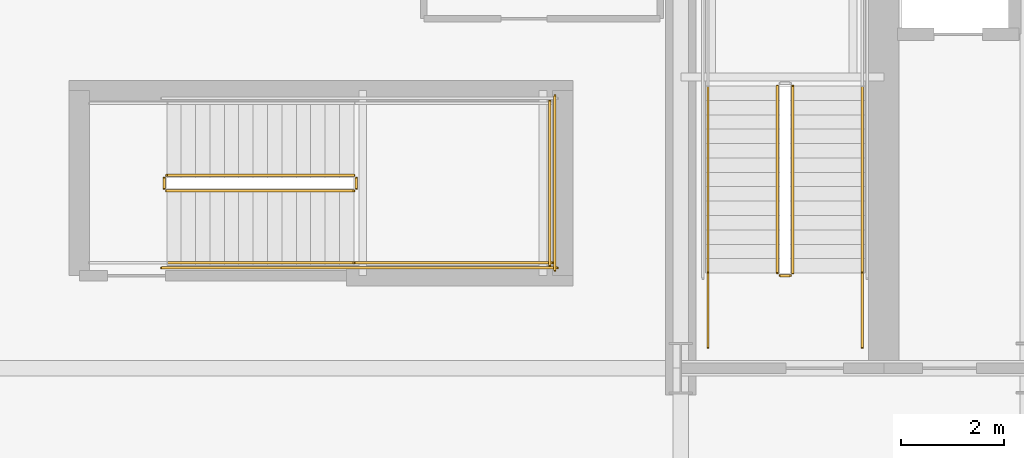
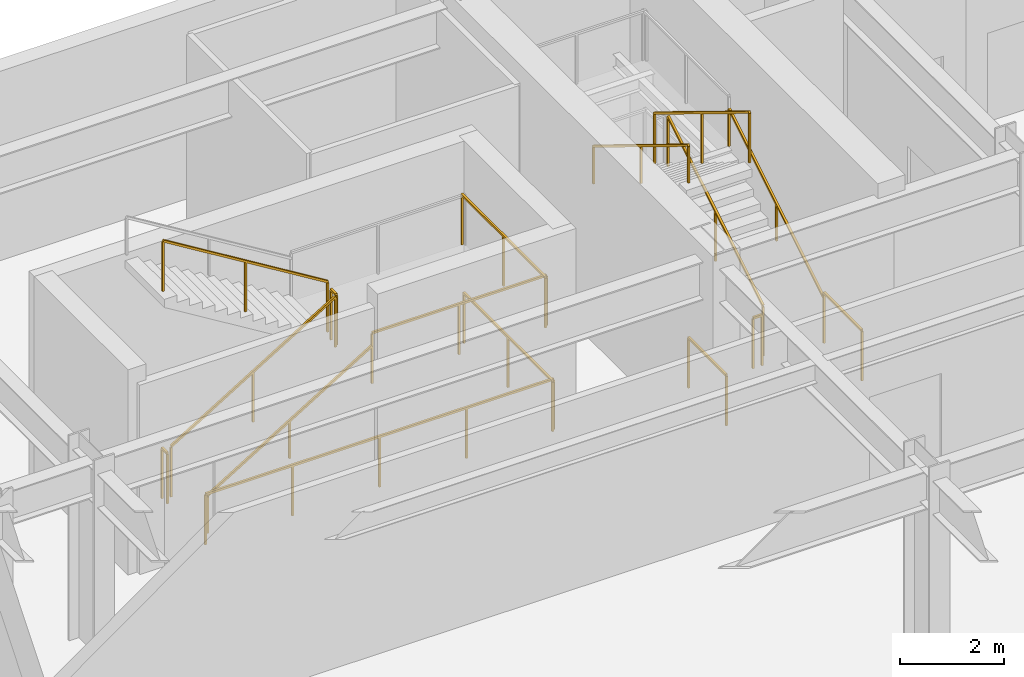
# One storey, part 25 of 35: 16 railings.
"""IFC4 building model written with IfcOpenShell, lengths in metres."""

from ifc_helpers import new_model, si_unit, direction, frame, origin, origin_2d, place, context, subcontext, project, spatial, rectangle, extrude, material, type_object, element, save


model = new_model("IFC4")

# Units and contexts
model_context = context("Model", 3, precision=1e-05, world=origin(), true_north=direction((0.0, 1.0)))
body_context = subcontext(model_context, "Body", "Model", "MODEL_VIEW")
ifc_project = project(units=[si_unit("LENGTHUNIT", "METRE"), si_unit("AREAUNIT", "SQUARE_METRE"), si_unit("VOLUMEUNIT", "CUBIC_METRE"), si_unit("PLANEANGLEUNIT", "RADIAN"), si_unit("MASSUNIT", "GRAM", prefix="KILO")], contexts=[model_context])

# Site, building, storey
site_placement = place(None, origin())
site = spatial("IfcSite", under=ifc_project, at=site_placement, CompositionType="ELEMENT")
building_placement = place(site_placement, origin())
building = spatial("IfcBuilding", under=site, at=building_placement, Name="Haevon Station Towers", CompositionType="ELEMENT")
storey_placement = place(building_placement, frame((0.0, 0.0, 20.39990234375)))
storey = spatial("IfcBuildingStorey", under=building, at=storey_placement, Name="L04", CompositionType="ELEMENT", Elevation=20.39990234375)

# Railings
ifc_material = material(Name="Steel S355", Category="steel")
railing_type_1 = type_object("IfcRailingType", Name="GRD-STR1200", PredefinedType="GUARDRAIL", material=ifc_material)
railing_1_placement = place(storey_placement, frame((26.179931640625, 40.050048828125, 0.171630859375)))
element("IfcRailing", 1, at=railing_1_placement, inside=storey, type_object=railing_type_1, Name="L04 ST1 Stair Guard 1", PredefinedType="GUARDRAIL", context=body_context, shape_type="SweptSolid", body=[
    extrude(rectangle(XDim=0.048095703125, YDim=0.048095703125, at=origin_2d()), frame((0.0, 0.0, 1.17578125), z_axis=(0.0, 0.852850264322, 0.5221555579), x_axis=(-1.0, 0.0, 0.0)), (0.0, 0.0, 1.0), 4.267822265625),
    extrude(rectangle(XDim=0.0419921875, YDim=0.0419921875, at=origin_2d()), origin(), (0.0, 0.0, 1.0), 1.15185546875),
    extrude(rectangle(XDim=0.0419921875, YDim=0.0419921875, at=origin_2d()), frame((0.0, 1.81982421875, 1.1142578125)), (0.0, 0.0, 1.0), 1.15185546875),
    extrude(rectangle(XDim=0.0419921875, YDim=0.0419921875, at=origin_2d()), frame((0.0, 3.639892578125, 2.228515625)), (0.0, 0.0, 1.0), 1.15185546875),
])
railing_2_placement = place(storey_placement, frame((25.8798828125, 43.68994140625, 2.571533203125)))
element("IfcRailing", 2, at=railing_2_placement, inside=storey, type_object=railing_type_1, Name="L04 ST1 Stair Guard 6", PredefinedType="GUARDRAIL", context=body_context, shape_type="SweptSolid", body=[
    extrude(rectangle(XDim=0.048095703125, YDim=0.048095703125, at=origin_2d()), frame((0.0, 0.0, 1.17578125), z_axis=(0.0, -0.852850264322, 0.5221555579), x_axis=(1.0, 0.0, 0.0)), (0.0, 0.0, 1.0), 4.267822265625),
    extrude(rectangle(XDim=0.0419921875, YDim=0.0419921875, at=origin_2d()), origin(), (0.0, 0.0, 1.0), 1.15185546875),
    extrude(rectangle(XDim=0.0419921875, YDim=0.0419921875, at=origin_2d()), frame((0.0, -1.81982421875, 1.1142578125)), (0.0, 0.0, 1.0), 1.15185546875),
    extrude(rectangle(XDim=0.0419921875, YDim=0.0419921875, at=origin_2d()), frame((0.0, -3.639892578125, 2.228515625)), (0.0, 0.0, 1.0), 1.15185546875),
])
railing_3_placement = place(storey_placement, frame((26.1298828125, 40.0, 0.0)))
element("IfcRailing", 3, at=railing_3_placement, inside=storey, type_object=railing_type_1, Name="L04 ST1 Stair Guard 7", PredefinedType="GUARDRAIL", context=body_context, shape_type="SweptSolid", body=[
    extrude(rectangle(XDim=0.048095703125, YDim=0.048095703125, at=origin_2d()), frame((0.0, 0.0, 1.17578125), z_axis=(-1.0, 0.0, 0.0), x_axis=(0.0, -1.0, 0.0)), (0.0, 0.0, 1.0), 0.199951171875),
    extrude(rectangle(XDim=0.0419921875, YDim=0.0419921875, at=origin_2d()), origin(), (0.0, 0.0, 1.0), 1.15185546875),
    extrude(rectangle(XDim=0.0419921875, YDim=0.0419921875, at=origin_2d()), frame((-0.199951171875, 0.0, 0.0)), (0.0, 0.0, 1.0), 1.15185546875),
])
for number, where, name in (
    (4, (27.530029296875, 38.60009765625, 0.0), "L04 ST1 Stair Guard 8"),
    (5, (24.530029296875, 38.60009765625, 0.0), "L04 ST1 Stair Guard 9"),
):
    element("IfcRailing", number, at=place(storey_placement, frame(where)), inside=storey, type_object=railing_type_1, Name=name, PredefinedType="GUARDRAIL", context=body_context, shape_type="SweptSolid", body=[
        extrude(rectangle(XDim=0.048095703125, YDim=0.048095703125, at=origin_2d()), frame((0.0, 0.0, 1.17578125), z_axis=(0.0, 1.0, 0.0), x_axis=(-1.0, 0.0, 0.0)), (0.0, 0.0, 1.0), 1.449951171875),
        extrude(rectangle(XDim=0.0419921875, YDim=0.0419921875, at=origin_2d()), origin(), (0.0, 0.0, 1.0), 1.15185546875),
        extrude(rectangle(XDim=0.0419921875, YDim=0.0419921875, at=origin_2d()), frame((0.0, 1.449951171875, 0.0)), (0.0, 0.0, 1.0), 1.15185546875),
    ])
railing_4_placement = place(storey_placement, frame((14.0, 41.64990234375, 0.171630859375)))
element("IfcRailing", 6, at=railing_4_placement, inside=storey, type_object=railing_type_1, Name="L04 ST5 Stair Guard 1", PredefinedType="GUARDRAIL", context=body_context, shape_type="SweptSolid", body=[
    extrude(rectangle(XDim=0.048095703125, YDim=0.048095703125, at=origin_2d()), frame((0.0, 0.0, 1.17578125), z_axis=(0.852850264322, 0.0, 0.5221555579), x_axis=(0.0, 1.0, 0.0)), (0.0, 0.0, 1.0), 4.267822265625),
    extrude(rectangle(XDim=0.0419921875, YDim=0.0419921875, at=origin_2d()), origin(), (0.0, 0.0, 1.0), 1.15185546875),
    extrude(rectangle(XDim=0.0419921875, YDim=0.0419921875, at=origin_2d()), frame((1.81982421875, 0.0, 1.1142578125)), (0.0, 0.0, 1.0), 1.15185546875),
    extrude(rectangle(XDim=0.0419921875, YDim=0.0419921875, at=origin_2d()), frame((3.639892578125, 0.0, 2.228515625)), (0.0, 0.0, 1.0), 1.15185546875),
])
railing_5_placement = place(storey_placement, frame((17.68994140625, 41.699951171875, 2.400146484375)))
element("IfcRailing", 7, at=railing_5_placement, inside=storey, type_object=railing_type_1, Name="L04 ST5 Stair Guard 2", PredefinedType="GUARDRAIL", context=body_context, shape_type="SweptSolid", body=[
    extrude(rectangle(XDim=0.048095703125, YDim=0.048095703125, at=origin_2d()), frame((0.0, 0.0, 1.17578125), z_axis=(0.0, 1.0, 0.0), x_axis=(-1.0, 0.0, 0.0)), (0.0, 0.0, 1.0), 0.199951171875),
    extrude(rectangle(XDim=0.0419921875, YDim=0.0419921875, at=origin_2d()), origin(), (0.0, 0.0, 1.0), 1.15185546875),
    extrude(rectangle(XDim=0.0419921875, YDim=0.0419921875, at=origin_2d()), frame((0.0, 0.199951171875, 0.0)), (0.0, 0.0, 1.0), 1.15185546875),
])
railing_6_placement = place(storey_placement, frame((17.639892578125, 40.25, 2.400146484375)))
element("IfcRailing", 8, at=railing_6_placement, inside=storey, type_object=railing_type_1, Name="L04 ST5 Stair Guard 3", PredefinedType="GUARDRAIL", context=body_context, shape_type="SweptSolid", body=[
    extrude(rectangle(XDim=0.048095703125, YDim=0.048095703125, at=origin_2d()), frame((0.0, 0.0, 1.17578125), z_axis=(1.0, 0.0, 0.0), x_axis=(0.0, 1.0, 0.0)), (0.0, 0.0, 1.0), 3.860107421875),
    extrude(rectangle(XDim=0.0419921875, YDim=0.0419921875, at=origin_2d()), origin(), (0.0, 0.0, 1.0), 1.15185546875),
    extrude(rectangle(XDim=0.0419921875, YDim=0.0419921875, at=origin_2d()), frame((1.93017578125, 0.0, 0.0)), (0.0, 0.0, 1.0), 1.15185546875),
    extrude(rectangle(XDim=0.0419921875, YDim=0.0419921875, at=origin_2d()), frame((3.860107421875, 0.0, 0.0)), (0.0, 0.0, 1.0), 1.15185546875),
])
railing_7_placement = place(storey_placement, frame((21.449951171875, 40.199951171875, 2.400146484375)))
element("IfcRailing", 9, at=railing_7_placement, inside=storey, type_object=railing_type_1, Name="L04 ST5 Stair Guard 5", PredefinedType="GUARDRAIL", context=body_context, shape_type="SweptSolid", body=[
    extrude(rectangle(XDim=0.048095703125, YDim=0.048095703125, at=origin_2d()), frame((0.0, 0.0, 1.17578125), z_axis=(0.0, 1.0, 0.0), x_axis=(-1.0, 0.0, 0.0)), (0.0, 0.0, 1.0), 3.199951171875),
    extrude(rectangle(XDim=0.0419921875, YDim=0.0419921875, at=origin_2d()), origin(), (0.0, 0.0, 1.0), 1.15185546875),
    extrude(rectangle(XDim=0.0419921875, YDim=0.0419921875, at=origin_2d()), frame((0.0, 1.60009765625, 0.0)), (0.0, 0.0, 1.0), 1.15185546875),
    extrude(rectangle(XDim=0.0419921875, YDim=0.0419921875, at=origin_2d()), frame((0.0, 3.199951171875, 0.0)), (0.0, 0.0, 1.0), 1.15185546875),
])
railing_8_placement = place(storey_placement, frame((17.639892578125, 41.949951171875, 2.571533203125)))
element("IfcRailing", 10, at=railing_8_placement, inside=storey, type_object=railing_type_1, Name="L04 ST5 Stair Guard 6", PredefinedType="GUARDRAIL", context=body_context, shape_type="SweptSolid", body=[
    extrude(rectangle(XDim=0.048095703125, YDim=0.048095703125, at=origin_2d()), frame((0.0, 0.0, 1.17578125), z_axis=(-0.852850264322, 0.0, 0.5221555579), x_axis=(0.0, -1.0, 0.0)), (0.0, 0.0, 1.0), 4.267822265625),
    extrude(rectangle(XDim=0.0419921875, YDim=0.0419921875, at=origin_2d()), origin(), (0.0, 0.0, 1.0), 1.15185546875),
    extrude(rectangle(XDim=0.0419921875, YDim=0.0419921875, at=origin_2d()), frame((-1.81982421875, 0.0, 1.1142578125)), (0.0, 0.0, 1.0), 1.15185546875),
    extrude(rectangle(XDim=0.0419921875, YDim=0.0419921875, at=origin_2d()), frame((-3.639892578125, 0.0, 2.228515625)), (0.0, 0.0, 1.0), 1.15185546875),
])
railing_9_placement = place(storey_placement, frame((13.949951171875, 41.699951171875, 0.0)))
element("IfcRailing", 11, at=railing_9_placement, inside=storey, type_object=railing_type_1, Name="L04 ST5 Stair Guard 7", PredefinedType="GUARDRAIL", context=body_context, shape_type="SweptSolid", body=[
    extrude(rectangle(XDim=0.048095703125, YDim=0.048095703125, at=origin_2d()), frame((0.0, 0.0, 1.17578125), z_axis=(0.0, 1.0, 0.0), x_axis=(-1.0, 0.0, 0.0)), (0.0, 0.0, 1.0), 0.199951171875),
    extrude(rectangle(XDim=0.0419921875, YDim=0.0419921875, at=origin_2d()), origin(), (0.0, 0.0, 1.0), 1.15185546875),
    extrude(rectangle(XDim=0.0419921875, YDim=0.0419921875, at=origin_2d()), frame((0.0, 0.199951171875, 0.0)), (0.0, 0.0, 1.0), 1.15185546875),
])
railing_10_placement = place(storey_placement, frame((13.89990234375, 40.14990234375, 0.0)))
element("IfcRailing", 12, at=railing_10_placement, inside=storey, type_object=railing_type_1, Name="L04 ST5 Stair Guard 10", PredefinedType="GUARDRAIL", context=body_context, shape_type="SweptSolid", body=[
    extrude(rectangle(XDim=0.048095703125, YDim=0.048095703125, at=origin_2d()), frame((0.0, 0.0, 1.17578125), z_axis=(1.0, 0.0, 0.0), x_axis=(0.0, 1.0, 0.0)), (0.0, 0.0, 1.0), 7.7001953125),
    extrude(rectangle(XDim=0.0419921875, YDim=0.0419921875, at=origin_2d()), origin(), (0.0, 0.0, 1.0), 1.15185546875),
    extrude(rectangle(XDim=0.0419921875, YDim=0.0419921875, at=origin_2d()), frame((1.925048828125, 0.0, 0.0)), (0.0, 0.0, 1.0), 1.15185546875),
    extrude(rectangle(XDim=0.0419921875, YDim=0.0419921875, at=origin_2d()), frame((3.85009765625, 0.0, 0.0)), (0.0, 0.0, 1.0), 1.15185546875),
    extrude(rectangle(XDim=0.0419921875, YDim=0.0419921875, at=origin_2d()), frame((5.775146484375, 0.0, 0.0)), (0.0, 0.0, 1.0), 1.15185546875),
    extrude(rectangle(XDim=0.0419921875, YDim=0.0419921875, at=origin_2d()), frame((7.7001953125, 0.0, 0.0)), (0.0, 0.0, 1.0), 1.15185546875),
])
railing_11_placement = place(storey_placement, frame((21.550048828125, 40.10009765625, 0.0)))
element("IfcRailing", 13, at=railing_11_placement, inside=storey, type_object=railing_type_1, Name="L04 ST5 Stair Guard 12", PredefinedType="GUARDRAIL", context=body_context, shape_type="SweptSolid", body=[
    extrude(rectangle(XDim=0.048095703125, YDim=0.048095703125, at=origin_2d()), frame((0.0, 0.0, 1.17578125), z_axis=(0.0, 1.0, 0.0), x_axis=(-1.0, 0.0, 0.0)), (0.0, 0.0, 1.0), 3.39990234375),
    extrude(rectangle(XDim=0.0419921875, YDim=0.0419921875, at=origin_2d()), origin(), (0.0, 0.0, 1.0), 1.15185546875),
    extrude(rectangle(XDim=0.0419921875, YDim=0.0419921875, at=origin_2d()), frame((0.0, 1.699951171875, 0.0)), (0.0, 0.0, 1.0), 1.15185546875),
    extrude(rectangle(XDim=0.0419921875, YDim=0.0419921875, at=origin_2d()), frame((0.0, 3.39990234375, 0.0)), (0.0, 0.0, 1.0), 1.15185546875),
])
railing_type_2 = type_object("IfcRailingType", Name="HND-STR900", PredefinedType="HANDRAIL", material=ifc_material)
railing_12_placement = place(storey_placement, frame((27.530029296875, 40.050048828125, 0.171630859375)))
element("IfcRailing", 14, at=railing_12_placement, inside=storey, type_object=railing_type_2, Name="L04 ST1 Stair Handrail 1", PredefinedType="HANDRAIL", context=body_context, shape_type="SweptSolid", body=[
    extrude(rectangle(XDim=0.048095703125, YDim=0.048095703125, at=origin_2d()), frame((0.0, 0.0, 0.8759765625), z_axis=(0.0, 0.852850264322, 0.5221555579), x_axis=(-1.0, 0.0, 0.0)), (0.0, 0.0, 1.0), 4.267822265625),
    extrude(rectangle(XDim=0.0419921875, YDim=0.0419921875, at=origin_2d()), origin(), (0.0, 0.0, 1.0), 0.851806640625),
    extrude(rectangle(XDim=0.0419921875, YDim=0.0419921875, at=origin_2d()), frame((0.0, 1.81982421875, 1.1142578125)), (0.0, 0.0, 1.0), 0.851806640625),
    extrude(rectangle(XDim=0.0419921875, YDim=0.0419921875, at=origin_2d()), frame((0.0, 3.639892578125, 2.228515625)), (0.0, 0.0, 1.0), 0.851806640625),
])
railing_13_placement = place(storey_placement, frame((24.530029296875, 43.68994140625, 2.571533203125)))
element("IfcRailing", 15, at=railing_13_placement, inside=storey, type_object=railing_type_2, Name="L04 ST1 Stair Handrail 2", PredefinedType="HANDRAIL", context=body_context, shape_type="SweptSolid", body=[
    extrude(rectangle(XDim=0.048095703125, YDim=0.048095703125, at=origin_2d()), frame((0.0, 0.0, 0.8759765625), z_axis=(0.0, -0.852850264322, 0.5221555579), x_axis=(1.0, 0.0, 0.0)), (0.0, 0.0, 1.0), 4.267822265625),
    extrude(rectangle(XDim=0.0419921875, YDim=0.0419921875, at=origin_2d()), origin(), (0.0, 0.0, 1.0), 0.851806640625),
    extrude(rectangle(XDim=0.0419921875, YDim=0.0419921875, at=origin_2d()), frame((0.0, -1.81982421875, 1.1142578125)), (0.0, 0.0, 1.0), 0.851806640625),
    extrude(rectangle(XDim=0.0419921875, YDim=0.0419921875, at=origin_2d()), frame((0.0, -3.639892578125, 2.228515625)), (0.0, 0.0, 1.0), 0.851806640625),
])
railing_14_placement = place(storey_placement, frame((14.0, 40.25, 0.171630859375)))
element("IfcRailing", 16, at=railing_14_placement, inside=storey, type_object=railing_type_2, Name="L04 ST5 Stair Handrail 1", PredefinedType="HANDRAIL", context=body_context, shape_type="SweptSolid", body=[
    extrude(rectangle(XDim=0.048095703125, YDim=0.048095703125, at=origin_2d()), frame((0.0, 0.0, 0.8759765625), z_axis=(0.852850264322, 0.0, 0.5221555579), x_axis=(0.0, 1.0, 0.0)), (0.0, 0.0, 1.0), 4.267822265625),
    extrude(rectangle(XDim=0.0419921875, YDim=0.0419921875, at=origin_2d()), origin(), (0.0, 0.0, 1.0), 0.851806640625),
    extrude(rectangle(XDim=0.0419921875, YDim=0.0419921875, at=origin_2d()), frame((1.81982421875, 0.0, 1.1142578125)), (0.0, 0.0, 1.0), 0.851806640625),
    extrude(rectangle(XDim=0.0419921875, YDim=0.0419921875, at=origin_2d()), frame((3.639892578125, 0.0, 2.228515625)), (0.0, 0.0, 1.0), 0.851806640625),
])

save(model, "model.ifc")
